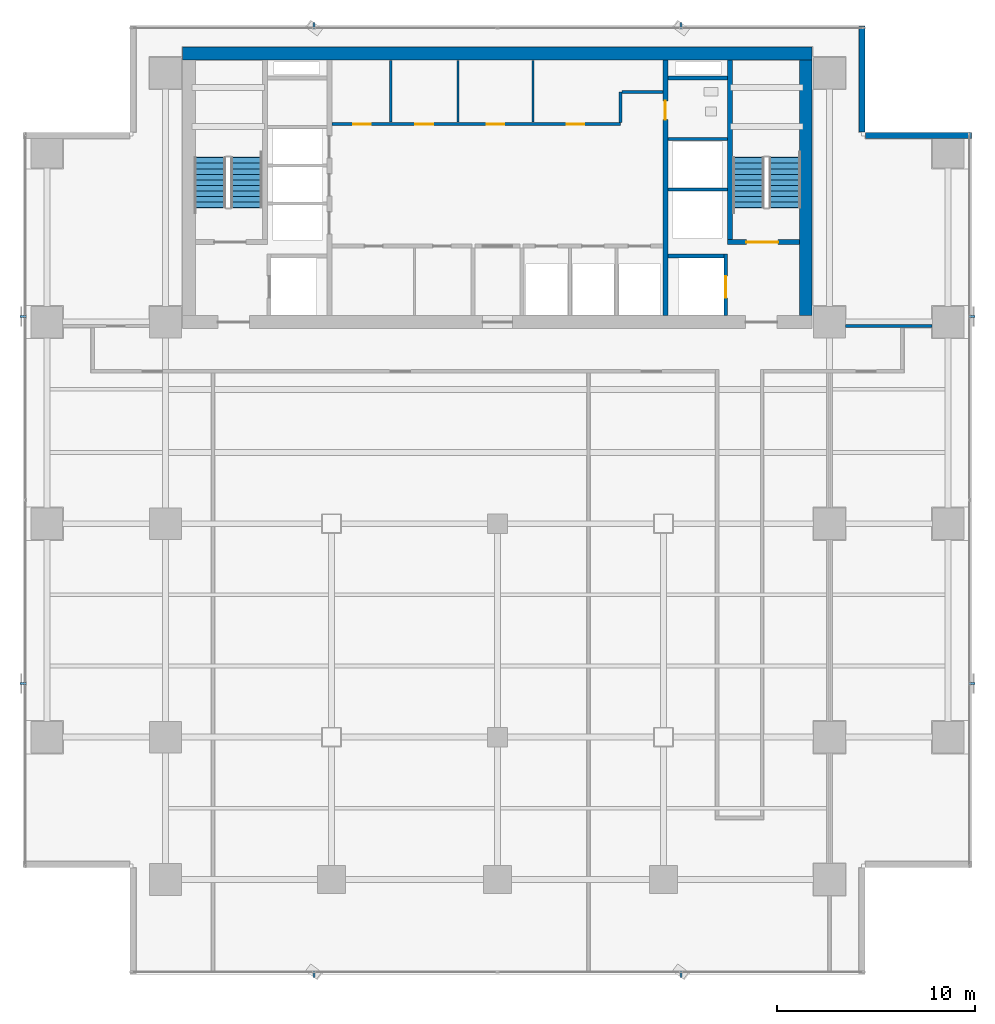
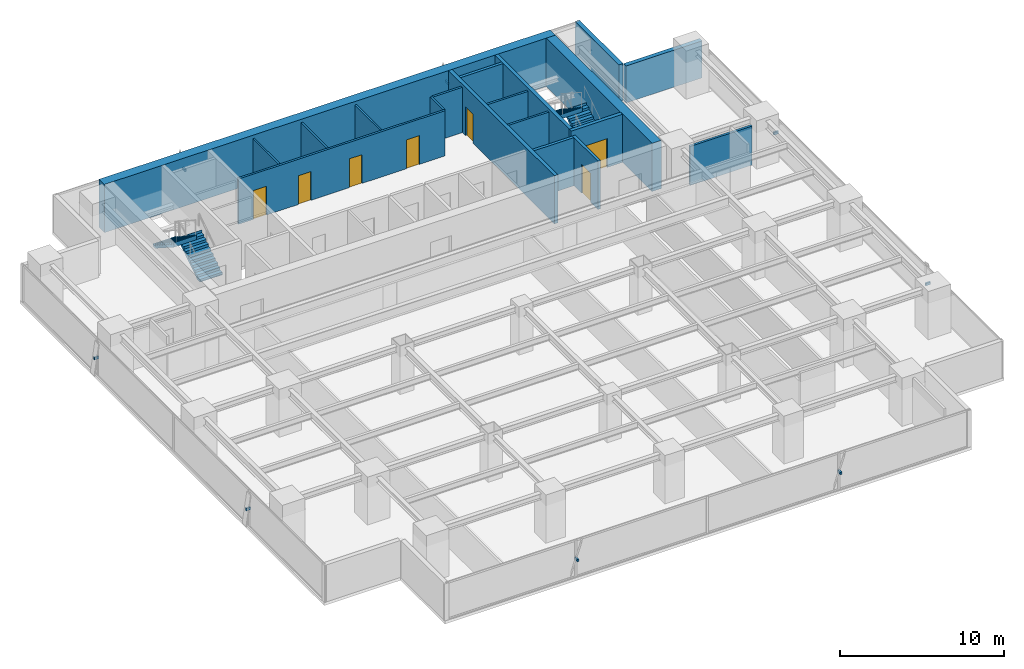
# One storey, part 22 of 27: 19 walls, 8 discrete accessories, 7 doors, 4 stair flights, 7 openings, 2 elements without a shape of their own.
"""IFC4 building model written with IfcOpenShell, lengths in metres."""

from ifc_helpers import new_model, si_unit, direction, frame, frame_2d, origin, origin_2d, place, context, subcontext, project, spatial, polyline, rectangle, outline, extrude, source, transform, mapped, material, layer, layer_set, material_profile, profile_set, type_object, element, fill, aggregate, save


model = new_model("IFC4")

# Units and contexts
model_context = context("Model", 3, precision=1e-05, world=origin(), true_north=direction((0.0, 1.0)))
body_context = subcontext(model_context, "Body", "Model", "MODEL_VIEW")
ifc_project = project(units=[si_unit("LENGTHUNIT", "METRE"), si_unit("AREAUNIT", "SQUARE_METRE"), si_unit("VOLUMEUNIT", "CUBIC_METRE"), si_unit("PLANEANGLEUNIT", "RADIAN"), si_unit("MASSUNIT", "GRAM", prefix="KILO")], contexts=[model_context])

# Site, building, storey
site_placement = place(None, origin())
site = spatial("IfcSite", under=ifc_project, at=site_placement, CompositionType="ELEMENT")
building_placement = place(site_placement, origin())
building = spatial("IfcBuilding", under=site, at=building_placement, Name="Sumidabori Civic Tower", CompositionType="ELEMENT")
storey_placement = place(building_placement, frame((0.0, 0.0, 160.39990234375)))
storey = spatial("IfcBuildingStorey", under=building, at=storey_placement, Name="L41", CompositionType="ELEMENT", Elevation=160.39990234375)

# Walls
ifc_material_1 = material(Name="Concrete C50/60", Category="concrete")
ifc_layer_1 = layer(ifc_material_1, 0.199951171875, Name="Concrete C50/60")
ifc_layer_set_1 = layer_set([ifc_layer_1], Name="Concrete C50/60")
wall_type_1 = type_object("IfcWallType", Name="WL-SHAFT-200", PredefinedType="SHEAR", material=ifc_layer_set_1)
shared_shape_1 = source(origin(), body_context, "Body", "SweptSolid", [
    extrude(rectangle(XDim=2.824951171875, YDim=0.199951171875, at=frame_2d((1.41259765625, 0.0))), origin(), (0.0, 0.0, 1.0), 3.60009765625),
])
wall_1_placement = place(storey_placement, frame((8.625, 13.550048828125, 0.0), z_axis=(0.0, 0.0, 1.0), x_axis=(1.0, 0.0, 0.0)))
element("IfcWall", 1, at=wall_1_placement, inside=storey, type_object=wall_type_1, Name="Core Shear Wall L41 EL2-N", PredefinedType="SHEAR", context=body_context, shape_type="MappedRepresentation", body=[
    mapped(shared_shape_1, transform((0.0, 0.0, 0.0), x_axis=(1.0, 0.0, 0.0), y_axis=(0.0, 1.0, 0.0), z_axis=(0.0, 0.0, 1.0), scale=1.0)),
])
shared_shape_2 = source(origin(), body_context, "Body", "SweptSolid", [
    extrude(rectangle(XDim=3.02001953125, YDim=0.199951171875, at=frame_2d((1.510009765625, 0.0))), origin(), (0.0, 0.0, 1.0), 3.60009765625),
])
wall_2_placement = place(storey_placement, frame((8.625, 22.550048828125, 0.0), z_axis=(0.0, 0.0, 1.0), x_axis=(1.0, 0.0, 0.0)))
element("IfcWall", 2, at=wall_2_placement, inside=storey, type_object=wall_type_1, Name="Core Shear Wall L41 RIS2-S", PredefinedType="SHEAR", context=body_context, shape_type="MappedRepresentation", body=[
    mapped(shared_shape_2, transform((0.0, 0.0, 0.0), x_axis=(1.0, 0.0, 0.0), y_axis=(0.0, 1.0, 0.0), z_axis=(0.0, 0.0, 1.0), scale=1.0)),
])
ifc_material_2 = material(Name="Concrete C60/75", Category="concrete")
ifc_layer_2 = layer(ifc_material_2, 0.64990234375, Name="Concrete C60/75")
ifc_layer_set_2 = layer_set([ifc_layer_2], Name="Concrete C60/75")
wall_type_2 = type_object("IfcWallType", Name="WL-CORE-650", PredefinedType="SHEAR", material=ifc_layer_set_2)
shared_shape_3 = source(origin(), body_context, "Body", "SweptSolid", [
    extrude(rectangle(XDim=31.85009765625, YDim=0.64990234375, at=frame_2d((15.925048828125, 0.0))), origin(), (0.0, 0.0, 1.0), 3.60009765625),
])
wall_3_placement = place(storey_placement, frame((-15.925048828125, 23.800048828125, 0.0), z_axis=(0.0, 0.0, 1.0), x_axis=(1.0, 0.0, 0.0)))
element("IfcWall", 3, at=wall_3_placement, inside=storey, type_object=wall_type_2, Name="Core Shear Wall L41 N", PredefinedType="SHEAR", context=body_context, shape_type="MappedRepresentation", body=[
    mapped(shared_shape_3, transform((0.0, 0.0, 0.0), x_axis=(1.0, 0.0, 0.0), y_axis=(0.0, 1.0, 0.0), z_axis=(0.0, 0.0, 1.0), scale=1.0)),
])
shared_shape_4 = source(origin(), body_context, "Body", "SweptSolid", [
    extrude(rectangle(XDim=12.9501953125, YDim=0.64990234375, at=frame_2d((6.47509765625, 0.0))), origin(), (0.0, 0.0, 1.0), 3.60009765625),
])
wall_4_placement = place(storey_placement, frame((15.60009765625, 10.52490234375, 0.0), z_axis=(0.0, 0.0, 1.0), x_axis=(0.0, 1.0, 0.0)))
element("IfcWall", 4, at=wall_4_placement, inside=storey, type_object=wall_type_2, Name="Core Shear Wall L41 E", PredefinedType="SHEAR", context=body_context, shape_type="MappedRepresentation", body=[
    mapped(shared_shape_4, transform((0.0, 0.0, 0.0), x_axis=(1.0, 0.0, 0.0), y_axis=(0.0, 1.0, 0.0), z_axis=(0.0, 0.0, 1.0), scale=1.0)),
])

# Wall, opening, door
ifc_layer_3 = layer(ifc_material_1, 0.25, Name="Concrete C50/60")
ifc_layer_set_3 = layer_set([ifc_layer_3], Name="Concrete C50/60")
wall_type_3 = type_object("IfcWallType", Name="WL-SHAFT-250", PredefinedType="SHEAR", material=ifc_layer_set_3)
shared_shape_5 = source(origin(), body_context, "Body", "SweptSolid", [
    extrude(rectangle(XDim=12.9501953125, YDim=0.25, at=frame_2d((6.47509765625, 0.0))), origin(), (0.0, 0.0, 1.0), 3.60009765625),
])
wall_5_placement = place(storey_placement, frame((8.5, 10.52490234375, 0.0), z_axis=(0.0, 0.0, 1.0), x_axis=(0.0, 1.0, 0.0)))
wall_5 = element("IfcWall", 5, at=wall_5_placement, inside=storey, type_object=wall_type_3, Name="Core Shear Wall L41 WEB-E", PredefinedType="SHEAR", context=body_context, shape_type="MappedRepresentation", body=[
    mapped(shared_shape_5, transform((0.0, 0.0, 0.0), x_axis=(1.0, 0.0, 0.0), y_axis=(0.0, 1.0, 0.0), z_axis=(0.0, 0.0, 1.0), scale=1.0)),
])
opening_1_placement = place(wall_5_placement, frame((9.925048828125, 0.0, 0.0)))
opening_1 = element("IfcOpeningElement", 6, at=opening_1_placement, cuts=wall_5, Name="Opening DR-2", PredefinedType="OPENING", context=body_context, shape_type="SweptSolid", body=[
    extrude(rectangle(XDim=0.949951171875, YDim=2.14990234375, at=frame_2d((0.47509765625, 1.074951171875))), frame((0.0, 0.136962890625, 0.0), z_axis=(0.0, -1.0, 0.0), x_axis=(1.0, 0.0, 0.0)), (0.0, 0.0, 1.0), 0.27392578125),
])
ifc_material_3 = material(Name="Japanese Hinoki Timber", Category="wood")
door_type_1 = type_object("IfcDoorType", Name="DR-INT-950", OperationType="NOTDEFINED", PredefinedType="DOOR", material=ifc_material_3)
shared_shape_6 = source(origin(), body_context, "Body", "SweptSolid", [
    extrude(rectangle(XDim=0.949951171875, YDim=2.14990234375, at=frame_2d((0.47509765625, 1.074951171875))), frame((0.0, 0.02490234375, 0.0), z_axis=(0.0, -1.0, 0.0), x_axis=(1.0, 0.0, 0.0)), (0.0, 0.0, 1.0), 0.050048828125),
])
door_1_placement = place(opening_1_placement, origin())
door_1 = element("IfcDoor", 7, at=door_1_placement, inside=storey, type_object=door_type_1, Name="Door DR:L41:WC-ACC", OperationType="SINGLE_SWING_RIGHT", OverallHeight=2.14990234375, OverallWidth=0.949951171875, PredefinedType="DOOR", context=body_context, shape_type="MappedRepresentation", body=[
    mapped(shared_shape_6, transform((0.0, 0.0, 0.0), x_axis=(1.0, 0.0, 0.0), y_axis=(0.0, 1.0, 0.0), z_axis=(0.0, 0.0, 1.0), scale=1.0)),
])
fill(opening_1, door_1)

shared_shape_7 = source(origin(), body_context, "Body", "SweptSolid", [
    extrude(rectangle(XDim=3.6298828125, YDim=0.25, at=frame_2d((1.81494140625, 0.0))), origin(), (0.0, 0.0, 1.0), 3.60009765625),
])
wall_6_placement = place(storey_placement, frame((11.64501953125, 14.25, 0.0), z_axis=(0.0, 0.0, 1.0), x_axis=(1.0, 0.0, 0.0)))
wall_6 = element("IfcWall", 8, at=wall_6_placement, inside=storey, type_object=wall_type_3, Name="Core Shear Wall L41 ST2-S", PredefinedType="SHEAR", context=body_context, shape_type="MappedRepresentation", body=[
    mapped(shared_shape_7, transform((0.0, 0.0, 0.0), x_axis=(1.0, 0.0, 0.0), y_axis=(0.0, 1.0, 0.0), z_axis=(0.0, 0.0, 1.0), scale=1.0)),
])
opening_2_placement = place(wall_6_placement, frame((0.949951171875, 0.0, 0.0)))
opening_2 = element("IfcOpeningElement", 9, at=opening_2_placement, cuts=wall_6, Name="Opening DR-FD4", PredefinedType="OPENING", context=body_context, shape_type="SweptSolid", body=[
    extrude(rectangle(XDim=1.60009765625, YDim=2.14990234375, at=frame_2d((0.800048828125, 1.074951171875))), frame((0.0, 0.136962890625, 0.0), z_axis=(0.0, -1.0, 0.0), x_axis=(1.0, 0.0, 0.0)), (0.0, 0.0, 1.0), 0.27392578125),
])
ifc_material_4 = material(Name="Steel SN490", Category="steel")
door_type_2 = type_object("IfcDoorType", Name="DR-FD4", OperationType="DOUBLE_DOOR_SINGLE_SWING", PredefinedType="DOOR", material=ifc_material_4)
shared_shape_8 = source(origin(), body_context, "Body", "SweptSolid", [
    extrude(rectangle(XDim=1.60009765625, YDim=2.14990234375, at=frame_2d((0.800048828125, 1.074951171875))), frame((0.0, 0.02490234375, 0.0), z_axis=(0.0, -1.0, 0.0), x_axis=(1.0, 0.0, 0.0)), (0.0, 0.0, 1.0), 0.050048828125),
])
door_2_placement = place(opening_2_placement, origin())
door_2 = element("IfcDoor", 10, at=door_2_placement, inside=storey, type_object=door_type_2, Name="Door DR:L41:ST2", OperationType="DOUBLE_DOOR_SINGLE_SWING", OverallHeight=2.14990234375, OverallWidth=1.60009765625, PredefinedType="DOOR", context=body_context, shape_type="MappedRepresentation", body=[
    mapped(shared_shape_8, transform((0.0, 0.0, 0.0), x_axis=(1.0, 0.0, 0.0), y_axis=(0.0, 1.0, 0.0), z_axis=(0.0, 0.0, 1.0), scale=1.0)),
])
fill(opening_2, door_2)

# Wall
shared_shape_9 = source(origin(), body_context, "Body", "SweptSolid", [
    extrude(rectangle(XDim=9.10009765625, YDim=0.25, at=frame_2d((4.550048828125, 0.0))), origin(), (0.0, 0.0, 1.0), 3.60009765625),
])
wall_7_placement = place(storey_placement, frame((11.77001953125, 14.375, 0.0), z_axis=(0.0, 0.0, 1.0), x_axis=(0.0, 1.0, 0.0)))
element("IfcWall", 11, at=wall_7_placement, inside=storey, type_object=wall_type_3, Name="Core Shear Wall L41 ST2-W", PredefinedType="SHEAR", context=body_context, shape_type="MappedRepresentation", body=[
    mapped(shared_shape_9, transform((0.0, 0.0, 0.0), x_axis=(1.0, 0.0, 0.0), y_axis=(0.0, 1.0, 0.0), z_axis=(0.0, 0.0, 1.0), scale=1.0)),
])

# Wall, opening, door
shared_shape_10 = source(origin(), body_context, "Body", "SweptSolid", [
    extrude(rectangle(XDim=3.125, YDim=0.199951171875, at=frame_2d((1.5625, 0.0))), origin(), (0.0, 0.0, 1.0), 3.60009765625),
])
wall_8_placement = place(storey_placement, frame((11.550048828125, 10.52490234375, 0.0), z_axis=(0.0, 0.0, 1.0), x_axis=(0.0, 1.0, 0.0)))
wall_8 = element("IfcWall", 12, at=wall_8_placement, inside=storey, type_object=wall_type_1, Name="Core Shear Wall L41 EL2-E", PredefinedType="SHEAR", context=body_context, shape_type="MappedRepresentation", body=[
    mapped(shared_shape_10, transform((0.0, 0.0, 0.0), x_axis=(1.0, 0.0, 0.0), y_axis=(0.0, 1.0, 0.0), z_axis=(0.0, 0.0, 1.0), scale=1.0)),
])
opening_3_placement = place(wall_8_placement, frame((0.89990234375, 0.0, 0.0)))
opening_3 = element("IfcOpeningElement", 13, at=opening_3_placement, cuts=wall_8, Name="Opening LD-2", PredefinedType="OPENING", context=body_context, shape_type="SweptSolid", body=[
    extrude(rectangle(XDim=1.10009765625, YDim=2.14990234375, at=frame_2d((0.550048828125, 1.074951171875))), frame((0.0, 0.11181640625, 0.0), z_axis=(0.0, -1.0, 0.0), x_axis=(1.0, 0.0, 0.0)), (0.0, 0.0, 1.0), 0.223876953125),
])
ifc_material_5 = material(Name="Stainless Steel Hairline Finish", Category="steel")
door_type_3 = type_object("IfcDoorType", Name="DR-LD2", OperationType="DOUBLE_DOOR_SLIDING", PredefinedType="DOOR", material=ifc_material_5)
shared_shape_11 = source(origin(), body_context, "Body", "SweptSolid", [
    extrude(rectangle(XDim=1.10009765625, YDim=2.14990234375, at=frame_2d((0.550048828125, 1.074951171875))), frame((0.0, 0.02490234375, 0.0), z_axis=(0.0, -1.0, 0.0), x_axis=(1.0, 0.0, 0.0)), (0.0, 0.0, 1.0), 0.050048828125),
])
door_3_placement = place(opening_3_placement, origin())
door_3 = element("IfcDoor", 14, at=door_3_placement, inside=storey, type_object=door_type_3, Name="Door DR:L41:LD-EL2", OperationType="DOUBLE_DOOR_SLIDING", OverallHeight=2.14990234375, OverallWidth=1.10009765625, PredefinedType="DOOR", context=body_context, shape_type="MappedRepresentation", body=[
    mapped(shared_shape_11, transform((0.0, 0.0, 0.0), x_axis=(1.0, 0.0, 0.0), y_axis=(0.0, 1.0, 0.0), z_axis=(0.0, 0.0, 1.0), scale=1.0)),
])
fill(opening_3, door_3)

# Walls
ifc_material_6 = material(Name="Precast concrete C40/50", Category="concrete")
ifc_layer_4 = layer(ifc_material_6, 0.300048828125, Name="Precast concrete C40/50")
ifc_layer_set_4 = layer_set([ifc_layer_4], Name="Precast concrete C40/50")
wall_type_4 = type_object("IfcWallType", Name="WL-EXT-POD300", PredefinedType="STANDARD", material=ifc_layer_set_4)
shared_shape_12 = source(origin(), body_context, "Body", "SweptSolid", [
    extrude(rectangle(XDim=5.35986328125, YDim=0.300048828125, at=frame_2d((2.679931640625, 0.0))), origin(), (0.0, 0.0, 1.0), 2.760009765625),
])
for number, where, z_axis, x_axis, name in (
    (15, (23.97998046875, 19.64990234375, 0.0), (0.0, 0.0, 1.0), (-1.0, 0.0, 0.0), "Notched Corner Spandrel Band L41-05"),
    (16, (18.449951171875, 19.820068359375, 0.0), (0.0, 0.0, 1.0), (0.0, 1.0, 0.0), "Notched Corner Spandrel Band L41-06"),
):
    element("IfcWall", number, at=place(storey_placement, frame(where, z_axis=z_axis, x_axis=x_axis)), inside=storey, type_object=wall_type_4, Name=name, PredefinedType="STANDARD", context=body_context, shape_type="MappedRepresentation", body=[
        mapped(shared_shape_12, transform((0.0, 0.0, 0.0), x_axis=(1.0, 0.0, 0.0), y_axis=(0.0, 1.0, 0.0), z_axis=(0.0, 0.0, 1.0), scale=1.0)),
    ])
ifc_material_7 = material(Name="Gypsum Plasterboard Acoustic Partition")
ifc_layer_5 = layer(ifc_material_7, 0.14990234375, Name="Gypsum Plasterboard Acoustic Partition")
ifc_layer_set_5 = layer_set([ifc_layer_5], Name="Gypsum Plasterboard Acoustic Partition")
wall_type_5 = type_object("IfcWallType", Name="WL-PART-150", PredefinedType="PARTITIONING", material=ifc_layer_set_5)
shared_shape_13 = source(origin(), body_context, "Body", "SweptSolid", [
    extrude(rectangle(XDim=3.010009765625, YDim=0.14990234375, at=frame_2d((1.5048828125, 0.0))), origin(), (0.0, 0.0, 1.0), 3.380126953125),
])
for number, where, z_axis, x_axis, name in (
    (17, (8.6298828125, 16.919921875, 0.0), (0.0, 0.0, 1.0), (1.0, 0.0, 0.0), "Interior Partition WL:L41:DIV-OBS1"),
    (18, (8.6298828125, 19.469970703125, 0.0), (0.0, 0.0, 1.0), (1.0, 0.0, 0.0), "Interior Partition WL:L41:DIV-OBS2"),
):
    element("IfcWall", number, at=place(storey_placement, frame(where, z_axis=z_axis, x_axis=x_axis)), inside=storey, type_object=wall_type_5, Name=name, PredefinedType="PARTITIONING", context=body_context, shape_type="MappedRepresentation", body=[
        mapped(shared_shape_13, transform((0.0, 0.0, 0.0), x_axis=(1.0, 0.0, 0.0), y_axis=(0.0, 1.0, 0.0), z_axis=(0.0, 0.0, 1.0), scale=1.0)),
    ])

# Wall, openings, doors
shared_shape_14 = source(origin(), body_context, "Body", "SweptSolid", [
    extrude(rectangle(XDim=14.590087890625, YDim=0.14990234375, at=frame_2d((7.294921875, 0.0))), origin(), (0.0, 0.0, 1.0), 3.380126953125),
])
wall_9_placement = place(storey_placement, frame((-8.3701171875, 20.219970703125, 0.0), z_axis=(0.0, 0.0, 1.0), x_axis=(1.0, 0.0, 0.0)))
wall_9 = element("IfcWall", 19, at=wall_9_placement, inside=storey, type_object=wall_type_5, Name="Interior Partition WL:L41:CBAND-M", PredefinedType="PARTITIONING", context=body_context, shape_type="MappedRepresentation", body=[
    mapped(shared_shape_14, transform((0.0, 0.0, 0.0), x_axis=(1.0, 0.0, 0.0), y_axis=(0.0, 1.0, 0.0), z_axis=(0.0, 0.0, 1.0), scale=1.0)),
])
opening_4_placement = place(wall_9_placement, frame((1.06005859375, 0.0, 0.0)))
opening_4 = element("IfcOpeningElement", 20, at=opening_4_placement, cuts=wall_9, Name="Opening DR-1", PredefinedType="OPENING", context=body_context, shape_type="SweptSolid", body=[
    extrude(rectangle(XDim=0.89990234375, YDim=2.14990234375, at=frame_2d((0.449951171875, 1.074951171875))), frame((0.0, 0.0869140625, 0.0), z_axis=(0.0, -1.0, 0.0), x_axis=(1.0, 0.0, 0.0)), (0.0, 0.0, 1.0), 0.173828125),
])
opening_5_placement = place(wall_9_placement, frame((4.219970703125, 0.0, 0.0)))
opening_5 = element("IfcOpeningElement", 21, at=opening_5_placement, cuts=wall_9, Name="Opening DR-1", PredefinedType="OPENING", context=body_context, shape_type="SweptSolid", body=[
    extrude(rectangle(XDim=0.89990234375, YDim=2.14990234375, at=frame_2d((0.449951171875, 1.074951171875))), frame((0.0, 0.0869140625, 0.0), z_axis=(0.0, -1.0, 0.0), x_axis=(1.0, 0.0, 0.0)), (0.0, 0.0, 1.0), 0.173828125),
])
opening_6_placement = place(wall_9_placement, frame((7.820068359375, 0.0, 0.0)))
opening_6 = element("IfcOpeningElement", 22, at=opening_6_placement, cuts=wall_9, Name="Opening DR-1", PredefinedType="OPENING", context=body_context, shape_type="SweptSolid", body=[
    extrude(rectangle(XDim=0.89990234375, YDim=2.14990234375, at=frame_2d((0.449951171875, 1.074951171875))), frame((0.0, 0.0869140625, 0.0), z_axis=(0.0, -1.0, 0.0), x_axis=(1.0, 0.0, 0.0)), (0.0, 0.0, 1.0), 0.173828125),
])
opening_7_placement = place(wall_9_placement, frame((11.8701171875, 0.0, 0.0)))
opening_7 = element("IfcOpeningElement", 23, at=opening_7_placement, cuts=wall_9, Name="Opening DR-1", PredefinedType="OPENING", context=body_context, shape_type="SweptSolid", body=[
    extrude(rectangle(XDim=0.89990234375, YDim=2.14990234375, at=frame_2d((0.449951171875, 1.074951171875))), frame((0.0, 0.0869140625, 0.0), z_axis=(0.0, -1.0, 0.0), x_axis=(1.0, 0.0, 0.0)), (0.0, 0.0, 1.0), 0.173828125),
])
door_type_4 = type_object("IfcDoorType", Name="DR-INT-900", OperationType="NOTDEFINED", PredefinedType="DOOR", material=ifc_material_3)
shared_shape_15 = source(origin(), body_context, "Body", "SweptSolid", [
    extrude(rectangle(XDim=0.89990234375, YDim=2.14990234375, at=frame_2d((0.449951171875, 1.074951171875))), frame((0.0, 0.02490234375, 0.0), z_axis=(0.0, -1.0, 0.0), x_axis=(1.0, 0.0, 0.0)), (0.0, 0.0, 1.0), 0.050048828125),
])
door_4_placement = place(opening_4_placement, origin())
door_4 = element("IfcDoor", 24, at=door_4_placement, inside=storey, type_object=door_type_4, Name="Door DR:L41:CB-1", OperationType="SINGLE_SWING_LEFT", OverallHeight=2.14990234375, OverallWidth=0.89990234375, PredefinedType="DOOR", context=body_context, shape_type="MappedRepresentation", body=[
    mapped(shared_shape_15, transform((0.0, 0.0, 0.0), x_axis=(1.0, 0.0, 0.0), y_axis=(0.0, 1.0, 0.0), z_axis=(0.0, 0.0, 1.0), scale=1.0)),
])
fill(opening_4, door_4)
door_5_placement = place(opening_5_placement, origin())
door_5 = element("IfcDoor", 25, at=door_5_placement, inside=storey, type_object=door_type_4, Name="Door DR:L41:CB-2", OperationType="SINGLE_SWING_RIGHT", OverallHeight=2.14990234375, OverallWidth=0.89990234375, PredefinedType="DOOR", context=body_context, shape_type="MappedRepresentation", body=[
    mapped(shared_shape_15, transform((0.0, 0.0, 0.0), x_axis=(1.0, 0.0, 0.0), y_axis=(0.0, 1.0, 0.0), z_axis=(0.0, 0.0, 1.0), scale=1.0)),
])
fill(opening_5, door_5)
door_6_placement = place(opening_6_placement, origin())
door_6 = element("IfcDoor", 26, at=door_6_placement, inside=storey, type_object=door_type_4, Name="Door DR:L41:CB-3", OperationType="SINGLE_SWING_LEFT", OverallHeight=2.14990234375, OverallWidth=0.89990234375, PredefinedType="DOOR", context=body_context, shape_type="MappedRepresentation", body=[
    mapped(shared_shape_15, transform((0.0, 0.0, 0.0), x_axis=(1.0, 0.0, 0.0), y_axis=(0.0, 1.0, 0.0), z_axis=(0.0, 0.0, 1.0), scale=1.0)),
])
fill(opening_6, door_6)
door_7_placement = place(opening_7_placement, origin())
door_7 = element("IfcDoor", 27, at=door_7_placement, inside=storey, type_object=door_type_4, Name="Door DR:L41:CB-4", OperationType="SINGLE_SWING_RIGHT", OverallHeight=2.14990234375, OverallWidth=0.89990234375, PredefinedType="DOOR", context=body_context, shape_type="MappedRepresentation", body=[
    mapped(shared_shape_15, transform((0.0, 0.0, 0.0), x_axis=(1.0, 0.0, 0.0), y_axis=(0.0, 1.0, 0.0), z_axis=(0.0, 0.0, 1.0), scale=1.0)),
])
fill(opening_7, door_7)

# Walls
shared_shape_16 = source(origin(), body_context, "Body", "SweptSolid", [
    extrude(rectangle(XDim=1.550048828125, YDim=0.14990234375, at=frame_2d((0.77490234375, 0.0))), origin(), (0.0, 0.0, 1.0), 3.380126953125),
])
wall_10_placement = place(storey_placement, frame((6.219970703125, 20.300048828125, 0.0), z_axis=(0.0, 0.0, 1.0), x_axis=(0.0, 1.0, 0.0)))
element("IfcWall", 28, at=wall_10_placement, inside=storey, type_object=wall_type_5, Name="Interior Partition WL:L41:CBAND-ME1", PredefinedType="PARTITIONING", context=body_context, shape_type="MappedRepresentation", body=[
    mapped(shared_shape_16, transform((0.0, 0.0, 0.0), x_axis=(1.0, 0.0, 0.0), y_axis=(0.0, 1.0, 0.0), z_axis=(0.0, 0.0, 1.0), scale=1.0)),
])
shared_shape_17 = source(origin(), body_context, "Body", "SweptSolid", [
    extrude(rectangle(XDim=2.070068359375, YDim=0.14990234375, at=frame_2d((1.03515625, 0.0))), origin(), (0.0, 0.0, 1.0), 3.380126953125),
])
wall_11_placement = place(storey_placement, frame((6.300048828125, 21.85009765625, 0.0), z_axis=(0.0, 0.0, 1.0), x_axis=(1.0, 0.0, 0.0)))
element("IfcWall", 29, at=wall_11_placement, inside=storey, type_object=wall_type_5, Name="Interior Partition WL:L41:CBAND-ME2", PredefinedType="PARTITIONING", context=body_context, shape_type="MappedRepresentation", body=[
    mapped(shared_shape_17, transform((0.0, 0.0, 0.0), x_axis=(1.0, 0.0, 0.0), y_axis=(0.0, 1.0, 0.0), z_axis=(0.0, 0.0, 1.0), scale=1.0)),
])
ifc_layer_6 = layer(ifc_material_7, 0.1201171875, Name="Gypsum Plasterboard Acoustic Partition")
ifc_layer_set_6 = layer_set([ifc_layer_6], Name="Gypsum Plasterboard Acoustic Partition")
wall_type_6 = type_object("IfcWallType", Name="WL-PART-120", PredefinedType="PARTITIONING", material=ifc_layer_set_6)
shared_shape_18 = source(origin(), body_context, "Body", "SweptSolid", [
    extrude(rectangle(XDim=3.114990234375, YDim=0.1201171875, at=frame_2d((1.5576171875, 0.0))), origin(), (0.0, 0.0, 1.0), 3.380126953125),
])
for number, where, z_axis, x_axis, name in (
    (30, (-5.39990234375, 20.320068359375, 0.0), (0.0, 0.0, 1.0), (0.0, 1.0, 0.0), "Interior Partition WL:L41:LV8-S1"),
    (31, (-2.0, 20.320068359375, 0.0), (0.0, 0.0, 1.0), (0.0, 1.0, 0.0), "Interior Partition WL:L41:LV8-S2"),
    (32, (1.800048828125, 20.320068359375, 0.0), (0.0, 0.0, 1.0), (0.0, 1.0, 0.0), "Interior Partition WL:L41:LV8-S3"),
):
    element("IfcWall", number, at=place(storey_placement, frame(where, z_axis=z_axis, x_axis=x_axis)), inside=storey, type_object=wall_type_6, Name=name, PredefinedType="PARTITIONING", context=body_context, shape_type="MappedRepresentation", body=[
        mapped(shared_shape_18, transform((0.0, 0.0, 0.0), x_axis=(1.0, 0.0, 0.0), y_axis=(0.0, 1.0, 0.0), z_axis=(0.0, 0.0, 1.0), scale=1.0)),
    ])
ifc_layer_7 = layer(ifc_material_7, 0.1650390625, Name="Gypsum Plasterboard Acoustic Partition")
ifc_layer_set_7 = layer_set([ifc_layer_7], Name="Gypsum Plasterboard Acoustic Partition")
wall_type_7 = type_object("IfcWallType", Name="WL-PART-165", PredefinedType="PARTITIONING", material=ifc_layer_set_7)
shared_shape_19 = source(origin(), body_context, "Body", "SweptSolid", [
    extrude(rectangle(XDim=4.3798828125, YDim=0.1650390625, at=frame_2d((2.18994140625, 0.0))), origin(), (0.0, 0.0, 1.0), 2.9150390625),
])
wall_12_placement = place(storey_placement, frame((17.610107421875, 10.0, 0.0), z_axis=(0.0, 0.0, 1.0), x_axis=(1.0, 0.0, 0.0)))
element("IfcWall", 33, at=wall_12_placement, inside=storey, type_object=wall_type_7, Name="Interior Partition WL:L41:FLK-NE", PredefinedType="PARTITIONING", context=body_context, shape_type="MappedRepresentation", body=[
    mapped(shared_shape_19, transform((0.0, 0.0, 0.0), x_axis=(1.0, 0.0, 0.0), y_axis=(0.0, 1.0, 0.0), z_axis=(0.0, 0.0, 1.0), scale=1.0)),
])

# Stair, stair flights
ifc_material_8 = material(Name="Concrete C40/50", Category="concrete")
stair_type = type_object("IfcStairType", Name="ST-CORE-1600", PredefinedType="HALF_TURN_STAIR", material=ifc_material_8)
stair_1_placement = place(storey_placement, origin())
stair_1 = element("IfcStair", 34, at=stair_1_placement, inside=storey, type_object=stair_type, Name="L41 ST-1", PredefinedType="HALF_TURN_STAIR")
stair_flight_type = type_object("IfcStairFlightType", Name="SF-CORE-1600", PredefinedType="STRAIGHT", material=ifc_material_8)
shared_shape_20 = source(origin(), body_context, "Body", "SweptSolid", [
    extrude(outline(polyline([(-0.02490234375, 0.0), (-0.02490234375, 0.0400390625), (0.0, 0.0400390625), (0.0, 0.179931640625), (0.280029296875, 0.179931640625), (0.280029296875, 0.360107421875), (0.56005859375, 0.360107421875), (0.56005859375, 0.5400390625), (0.840087890625, 0.5400390625), (0.840087890625, 0.719970703125), (1.1201171875, 0.719970703125), (1.1201171875, 0.89990234375), (1.39990234375, 0.89990234375), (1.39990234375, 1.080078125), (1.679931640625, 1.080078125), (1.679931640625, 1.260009765625), (1.9599609375, 1.260009765625), (1.9599609375, 1.43994140625), (2.239990234375, 1.43994140625), (2.239990234375, 1.6201171875), (2.52001953125, 1.6201171875), (2.52001953125, 1.800048828125), (2.544921875, 1.800048828125), (2.544921875, 1.650146484375), (2.52001953125, 1.44189453125), (0.277099609375, 0.0), (-0.02490234375, 0.0)])), frame((0.0, 0.800048828125, 0.0), z_axis=(0.0, -1.0, 0.0), x_axis=(1.0, 0.0, 0.0)), (0.0, 0.0, 1.0), 1.60009765625),
])
stair_flight_1_placement = place(storey_placement, frame((-12.699951171875, 16.0, 0.0), z_axis=(0.0, 0.0, 1.0), x_axis=(0.0, 1.0, 0.0)))
stair_flight_1 = element("IfcStairFlight", 35, at=stair_flight_1_placement, type_object=stair_flight_type, Name="ST-1 flight 1", NumberOfRisers=10, NumberOfTreads=9, PredefinedType="STRAIGHT", RiserHeight=0.18, TreadLength=0.28, context=body_context, shape_type="MappedRepresentation", body=[
    mapped(shared_shape_20, transform((0.0, 0.0, 0.0), x_axis=(1.0, 0.0, 0.0), y_axis=(0.0, 1.0, 0.0), z_axis=(0.0, 0.0, 1.0), scale=1.0)),
])
stair_flight_2_placement = place(storey_placement, frame((-14.5400390625, 18.52001953125, 1.800048828125), z_axis=(0.0, 0.0, 1.0), x_axis=(0.0, -1.0, 0.0)))
stair_flight_2 = element("IfcStairFlight", 36, at=stair_flight_2_placement, type_object=stair_flight_type, Name="ST-1 flight 2", NumberOfRisers=10, NumberOfTreads=9, PredefinedType="STRAIGHT", RiserHeight=0.18, TreadLength=0.28, context=body_context, shape_type="MappedRepresentation", body=[
    mapped(shared_shape_20, transform((0.0, 0.0, 0.0), x_axis=(1.0, 0.0, 0.0), y_axis=(0.0, 1.0, 0.0), z_axis=(0.0, 0.0, 1.0), scale=1.0)),
])
aggregate(stair_1, [stair_flight_1, stair_flight_2])

stair_2_placement = place(storey_placement, origin())
stair_2 = element("IfcStair", 37, at=stair_2_placement, inside=storey, type_object=stair_type, Name="L41 ST-2", PredefinedType="HALF_TURN_STAIR")
stair_flight_3_placement = place(storey_placement, frame((14.5400390625, 16.0, 0.0), z_axis=(0.0, 0.0, 1.0), x_axis=(0.0, 1.0, 0.0)))
stair_flight_3 = element("IfcStairFlight", 38, at=stair_flight_3_placement, type_object=stair_flight_type, Name="ST-2 flight 1", NumberOfRisers=10, NumberOfTreads=9, PredefinedType="STRAIGHT", RiserHeight=0.18, TreadLength=0.28, context=body_context, shape_type="MappedRepresentation", body=[
    mapped(shared_shape_20, transform((0.0, 0.0, 0.0), x_axis=(1.0, 0.0, 0.0), y_axis=(0.0, 1.0, 0.0), z_axis=(0.0, 0.0, 1.0), scale=1.0)),
])
stair_flight_4_placement = place(storey_placement, frame((12.699951171875, 18.52001953125, 1.800048828125), z_axis=(0.0, 0.0, 1.0), x_axis=(0.0, -1.0, 0.0)))
stair_flight_4 = element("IfcStairFlight", 39, at=stair_flight_4_placement, type_object=stair_flight_type, Name="ST-2 flight 2", NumberOfRisers=10, NumberOfTreads=9, PredefinedType="STRAIGHT", RiserHeight=0.18, TreadLength=0.28, context=body_context, shape_type="MappedRepresentation", body=[
    mapped(shared_shape_20, transform((0.0, 0.0, 0.0), x_axis=(1.0, 0.0, 0.0), y_axis=(0.0, 1.0, 0.0), z_axis=(0.0, 0.0, 1.0), scale=1.0)),
])
aggregate(stair_2, [stair_flight_3, stair_flight_4])

# Discrete accessories
ifc_material_profile = material_profile(ifc_material_5, rectangle(XDim=0.1201171875, YDim=0.179931640625, at=origin_2d()), Name="STEEL BRACKET 180x120")
ifc_profile_set = profile_set([ifc_material_profile], Name="Stainless Steel Hairline Finish")
discrete_accessory_type = type_object("IfcDiscreteAccessoryType", Name="AC-BRK-180", PredefinedType="BRACKET", material=ifc_profile_set)
shared_shape_21 = source(origin(), body_context, "Body", "SweptSolid", [
    extrude(rectangle(XDim=0.1201171875, YDim=0.179931640625, at=origin_2d()), origin(), (0.0, 0.0, 1.0), 0.329833984375),
])
for number, where, z_axis, x_axis, name in (
    (40, (23.830078125, -8.0849609375, 1.3701171875), (1.0, 0.0, 0.0), (0.0, 1.0, 0.0), "Bronze Fin Fixing Bracket L41-01"),
    (41, (23.830078125, 10.485107421875, 1.3701171875), (1.0, 0.0, 0.0), (0.0, 1.0, 0.0), "Bronze Fin Fixing Bracket L41-03"),
    (42, (-23.830078125, 10.485107421875, 1.3701171875), (-1.0, 0.0, 0.0), (0.0, -1.0, 0.0), "Bronze Fin Fixing Bracket L41-01"),
    (43, (-23.830078125, -8.0849609375, 1.3701171875), (-1.0, 0.0, 0.0), (0.0, -1.0, 0.0), "Bronze Fin Fixing Bracket L41-03"),
):
    element("IfcDiscreteAccessory", number, at=place(storey_placement, frame(where, z_axis=z_axis, x_axis=x_axis)), inside=storey, type_object=discrete_accessory_type, Name=name, PredefinedType="BRACKET", context=body_context, shape_type="MappedRepresentation", body=[
        mapped(shared_shape_21, transform((0.0, 0.0, 0.0), x_axis=(1.0, 0.0, 0.0), y_axis=(0.0, 1.0, 0.0), z_axis=(0.0, 0.0, 1.0), scale=1.0)),
    ])
shared_shape_22 = source(origin(), body_context, "Body", "SweptSolid", [
    extrude(rectangle(XDim=0.1201171875, YDim=0.179931640625, at=origin_2d()), origin(), (0.0, 0.0, 1.0), 0.330078125),
])
for number, where, z_axis, x_axis, name in (
    (44, (-9.284912109375, -22.6298828125, 1.3701171875), (0.0, -1.0, 0.0), (1.0, 0.0, 0.0), "Bronze Fin Fixing Bracket L41-01"),
    (45, (9.284912109375, -22.6298828125, 1.3701171875), (0.0, -1.0, 0.0), (1.0, 0.0, 0.0), "Bronze Fin Fixing Bracket L41-03"),
    (46, (9.284912109375, 25.030029296875, 1.3701171875), (0.0, 1.0, 0.0), (-1.0, 0.0, 0.0), "Bronze Fin Fixing Bracket L41-01"),
    (47, (-9.284912109375, 25.030029296875, 1.3701171875), (0.0, 1.0, 0.0), (-1.0, 0.0, 0.0), "Bronze Fin Fixing Bracket L41-03"),
):
    element("IfcDiscreteAccessory", number, at=place(storey_placement, frame(where, z_axis=z_axis, x_axis=x_axis)), inside=storey, type_object=discrete_accessory_type, Name=name, PredefinedType="BRACKET", context=body_context, shape_type="MappedRepresentation", body=[
        mapped(shared_shape_22, transform((0.0, 0.0, 0.0), x_axis=(1.0, 0.0, 0.0), y_axis=(0.0, 1.0, 0.0), z_axis=(0.0, 0.0, 1.0), scale=1.0)),
    ])

save(model, "model.ifc")
